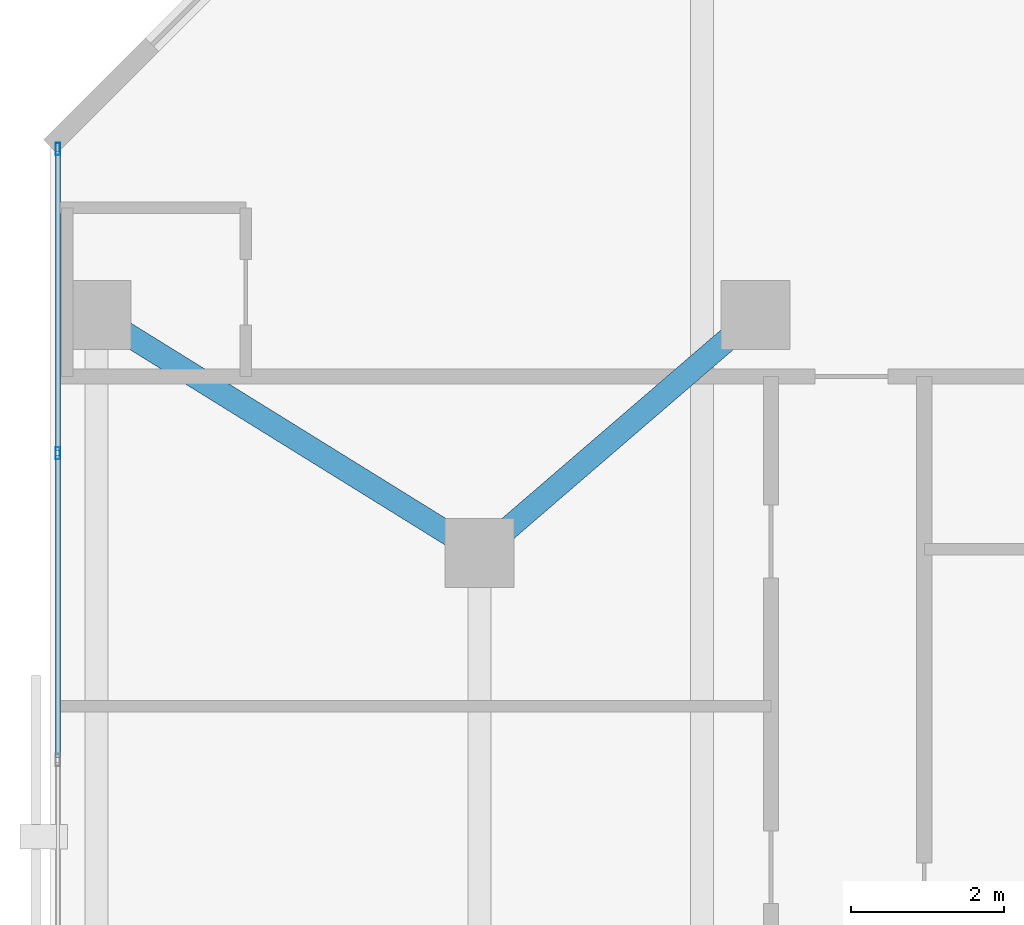
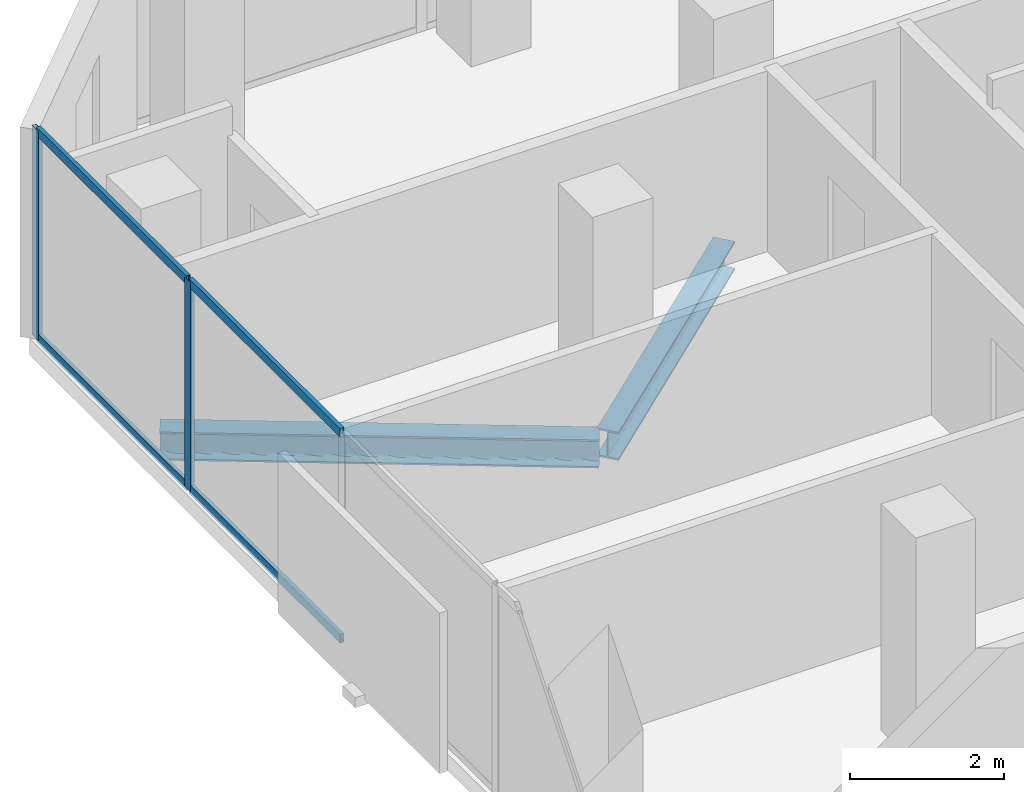
# One storey, part 17 of 34: 6 members, 2 beams, 1 element without a shape of its own.
"""IFC4 building model written with IfcOpenShell, lengths in metres."""

from ifc_helpers import new_model, si_unit, direction, frame, origin, origin_2d, place, context, subcontext, project, spatial, hollow_rectangle, i_section, extrude, material, layer, layer_set, material_profile, profile_set, type_object, element, aggregate, save


model = new_model("IFC4")

# Units and contexts
model_context = context("Model", 3, precision=1e-05, world=origin(), true_north=direction((0.0, 1.0)))
body_context = subcontext(model_context, "Body", "Model", "MODEL_VIEW")
ifc_project = project(units=[si_unit("LENGTHUNIT", "METRE"), si_unit("AREAUNIT", "SQUARE_METRE"), si_unit("VOLUMEUNIT", "CUBIC_METRE"), si_unit("PLANEANGLEUNIT", "RADIAN"), si_unit("MASSUNIT", "GRAM", prefix="KILO")], contexts=[model_context])

# Site, building, storey
site_placement = place(None, origin())
site = spatial("IfcSite", under=ifc_project, at=site_placement, CompositionType="ELEMENT")
building_placement = place(site_placement, origin())
building = spatial("IfcBuilding", under=site, at=building_placement, Name="Catumbela Crestline Tower", CompositionType="ELEMENT")
storey_placement = place(building_placement, frame((0.0, 0.0, 115.2)))
storey = spatial("IfcBuildingStorey", under=building, at=storey_placement, Name="L29", CompositionType="ELEMENT", Elevation=115.2)

# Beams
ifc_material_1 = material(Name="Structural steel S355J2", Category="steel")
ifc_material_profile_1 = material_profile(ifc_material_1, i_section(OverallWidth=0.3, OverallDepth=0.45, WebThickness=0.014, FlangeThickness=0.026, FilletRadius=0.027, at=origin_2d()), Name="HEB 450")
ifc_profile_set_1 = profile_set([ifc_material_profile_1], Name="Structural steel S355J2")
beam_type = type_object("IfcBeamType", Name="BG-HEB450", PredefinedType="BEAM", material=ifc_profile_set_1)
beam_1_placement = place(storey_placement, frame((0.668, 42.2578, -0.485), z_axis=(0.849908952007, -0.526929571479, 0.0), x_axis=(0.526929571479, 0.849908952007, 0.0)))
element("IfcBeam", 1, at=beam_1_placement, inside=storey, type_object=beam_type, Name="L29 Beam BM-L29-N12", PredefinedType="BEAM", context=body_context, shape_type="SweptSolid", body=[
    extrude(i_section(OverallWidth=0.3, OverallDepth=0.45, WebThickness=0.014, FlangeThickness=0.026, FilletRadius=0.027, at=origin_2d()), origin(), (0.0, 0.0, 1.0), 5.723),
])
beam_2_placement = place(storey_placement, frame((5.6606, 39.2522, -0.485), z_axis=(0.757772392559, 0.652518966066, 0.0), x_axis=(-0.652518966066, 0.757772392559, 0.0)))
element("IfcBeam", 2, at=beam_2_placement, inside=storey, type_object=beam_type, Name="L29 Beam BM-L29-N13", PredefinedType="BEAM", context=body_context, shape_type="SweptSolid", body=[
    extrude(i_section(OverallWidth=0.3, OverallDepth=0.45, WebThickness=0.014, FlangeThickness=0.026, FilletRadius=0.027, at=origin_2d()), origin(), (0.0, 0.0, 1.0), 4.5908),
])

# Curtain wall, members
ifc_material_2 = material(Name="Aluminium alloy AW-6060-T66", Category="aluminium")
ifc_layer = layer(ifc_material_2, 0.18, Name="Aluminium alloy AW-6060-T66")
ifc_layer_set = layer_set([ifc_layer], Name="Aluminium alloy AW-6060-T66")
curtain_wall_type = type_object("IfcCurtainWallType", Name="CWU-Z2", PredefinedType="USERDEFINED", material=ifc_layer_set)
curtain_wall_placement = place(storey_placement, origin())
curtain_wall = element("IfcCurtainWall", 3, at=curtain_wall_placement, inside=storey, type_object=curtain_wall_type, Name="L29 Unitised Curtain Wall CW-L29-E9S1", ObjectType="UNITISED", PredefinedType="USERDEFINED")
ifc_material_profile_2 = material_profile(ifc_material_2, hollow_rectangle(XDim=0.06, YDim=0.16, WallThickness=0.004, at=origin_2d()), Name="ALU 160x60x4")
ifc_profile_set_2 = profile_set([ifc_material_profile_2], Name="Aluminium alloy AW-6060-T66")
member_type_1 = type_object("IfcMemberType", Name="MUL-160X60", PredefinedType="MULLION", material=ifc_profile_set_2)
member_1_placement = place(storey_placement, frame((0.1, 44.4675, 0.0), z_axis=(0.0, 0.0, 1.0), x_axis=(1.0, 0.0, 0.0)))
member_1 = element("IfcMember", 4, at=member_1_placement, type_object=member_type_1, Name="CWU-Z2 mullion 1", PredefinedType="MULLION", context=body_context, shape_type="SweptSolid", body=[
    extrude(hollow_rectangle(XDim=0.06, YDim=0.16, WallThickness=0.004, at=origin_2d()), origin(), (0.0, 0.0, 1.0), 3.33),
])
member_2_placement = place(storey_placement, frame((0.1, 40.5, 0.0), z_axis=(0.0, 0.0, 1.0), x_axis=(1.0, 0.0, 0.0)))
member_2 = element("IfcMember", 5, at=member_2_placement, type_object=member_type_1, Name="CWU-Z2 mullion 2", PredefinedType="MULLION", context=body_context, shape_type="SweptSolid", body=[
    extrude(hollow_rectangle(XDim=0.06, YDim=0.16, WallThickness=0.004, at=origin_2d()), origin(), (0.0, 0.0, 1.0), 3.33),
])
ifc_material_profile_3 = material_profile(ifc_material_2, hollow_rectangle(XDim=0.06, YDim=0.14, WallThickness=0.004, at=origin_2d()), Name="ALU 140x60x4")
ifc_profile_set_3 = profile_set([ifc_material_profile_3], Name="Aluminium alloy AW-6060-T66")
member_type_2 = type_object("IfcMemberType", Name="TRN-140X60", PredefinedType="USERDEFINED", material=ifc_profile_set_3)
member_3_placement = place(storey_placement, frame((0.1, 44.435, 0.03), z_axis=(0.0, -1.0, 0.0), x_axis=(1.0, 0.0, 0.0)))
member_3 = element("IfcMember", 6, at=member_3_placement, type_object=member_type_2, Name="CWU-Z2 transom 1.1", ObjectType="TRANSOM", PredefinedType="USERDEFINED", context=body_context, shape_type="SweptSolid", body=[
    extrude(hollow_rectangle(XDim=0.06, YDim=0.14, WallThickness=0.004, at=origin_2d()), origin(), (0.0, 0.0, 1.0), 3.9025),
])
member_4_placement = place(storey_placement, frame((0.1, 44.435, 3.3), z_axis=(0.0, -1.0, 0.0), x_axis=(1.0, 0.0, 0.0)))
member_4 = element("IfcMember", 7, at=member_4_placement, type_object=member_type_2, Name="CWU-Z2 transom 1.2", ObjectType="TRANSOM", PredefinedType="USERDEFINED", context=body_context, shape_type="SweptSolid", body=[
    extrude(hollow_rectangle(XDim=0.06, YDim=0.14, WallThickness=0.004, at=origin_2d()), origin(), (0.0, 0.0, 1.0), 3.9025),
])
member_5_placement = place(storey_placement, frame((0.1, 40.4675, 0.03), z_axis=(0.0, -1.0, 0.0), x_axis=(1.0, 0.0, 0.0)))
member_5 = element("IfcMember", 8, at=member_5_placement, type_object=member_type_2, Name="CWU-Z2 transom 2.1", ObjectType="TRANSOM", PredefinedType="USERDEFINED", context=body_context, shape_type="SweptSolid", body=[
    extrude(hollow_rectangle(XDim=0.06, YDim=0.14, WallThickness=0.004, at=origin_2d()), origin(), (0.0, 0.0, 1.0), 3.935),
])
member_6_placement = place(storey_placement, frame((0.1, 40.4675, 3.3), z_axis=(0.0, -1.0, 0.0), x_axis=(1.0, 0.0, 0.0)))
member_6 = element("IfcMember", 9, at=member_6_placement, type_object=member_type_2, Name="CWU-Z2 transom 2.2", ObjectType="TRANSOM", PredefinedType="USERDEFINED", context=body_context, shape_type="SweptSolid", body=[
    extrude(hollow_rectangle(XDim=0.06, YDim=0.14, WallThickness=0.004, at=origin_2d()), origin(), (0.0, 0.0, 1.0), 3.935),
])
aggregate(curtain_wall, [member_1, member_2, member_3, member_4, member_5, member_6])

save(model, "model.ifc")
